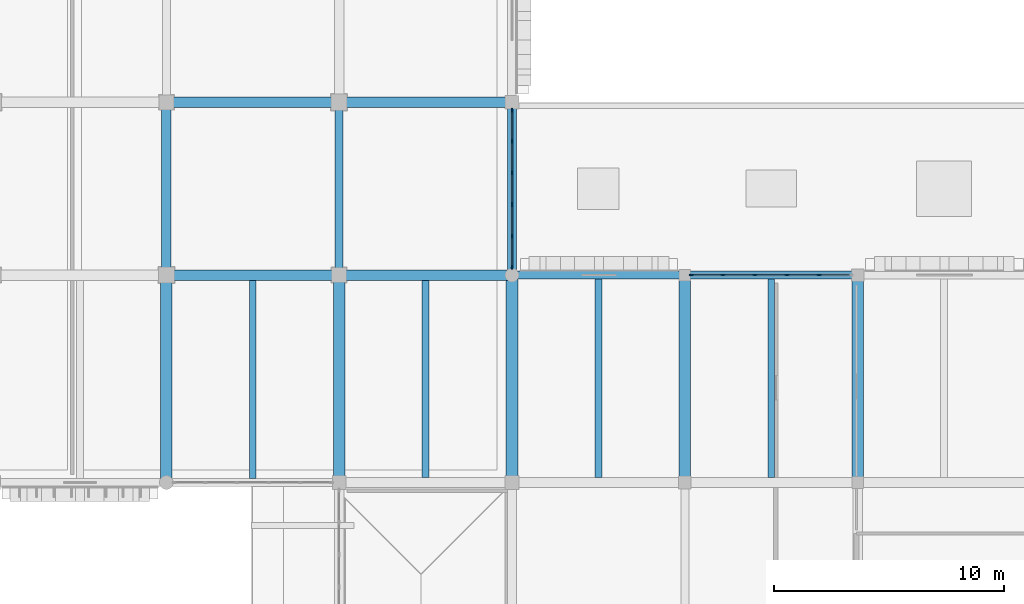
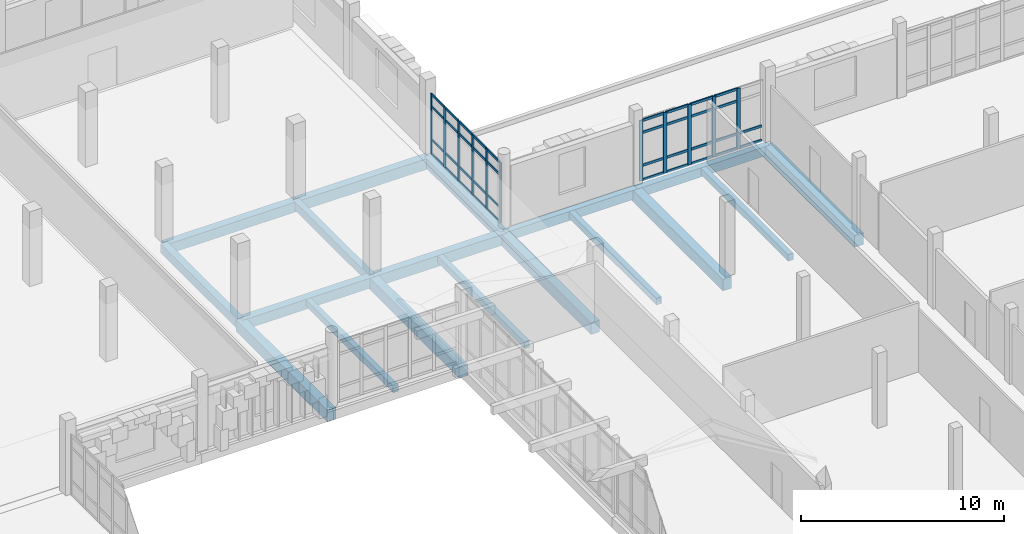
# One storey, part 67 of 128: 49 members, 18 beams, 2 elements without a shape of their own.
"""IFC4 building model written with IfcOpenShell, lengths in metres."""

from ifc_helpers import new_model, si_unit, direction, frame, origin, origin_2d, place, context, subcontext, project, spatial, rectangle, extrude, material, layer, layer_set, material_profile, profile_set, type_object, element, aggregate, save


model = new_model("IFC4")

# Units and contexts
model_context = context("Model", 3, precision=1e-05, world=origin(), true_north=direction((0.0, 1.0)))
body_context = subcontext(model_context, "Body", "Model", "MODEL_VIEW")
ifc_project = project(units=[si_unit("LENGTHUNIT", "METRE"), si_unit("AREAUNIT", "SQUARE_METRE"), si_unit("VOLUMEUNIT", "CUBIC_METRE"), si_unit("PLANEANGLEUNIT", "RADIAN"), si_unit("MASSUNIT", "GRAM", prefix="KILO")], contexts=[model_context])

# Site, building, storey
site_placement = place(None, origin())
site = spatial("IfcSite", under=ifc_project, at=site_placement, CompositionType="ELEMENT")
building_placement = place(site_placement, origin())
building = spatial("IfcBuilding", under=site, at=building_placement, Name="Dalvernix Boulevard General Hospital", CompositionType="ELEMENT")
storey_placement = place(building_placement, frame((0.0, 0.0, 4.800048828125)))
storey = spatial("IfcBuildingStorey", under=building, at=storey_placement, Name="L01", CompositionType="ELEMENT", Elevation=4.800048828125)

# Beams
ifc_material_1 = material(Name="Concrete C35/45", Category="concrete")
ifc_material_profile_1 = material_profile(ifc_material_1, rectangle(XDim=0.5, YDim=0.699951171875, at=origin_2d()), Name="RCB 500x700")
ifc_profile_set_1 = profile_set([ifc_material_profile_1], Name="Concrete C35/45")
beam_type_1 = type_object("IfcBeamType", Name="BM-B-01-I", PredefinedType="BEAM", material=ifc_profile_set_1)
for number, where, z_axis, x_axis, name in (
    (1, (127.5, 76.5, -0.650146484375), (0.0, 1.0, 0.0), (-1.0, 0.0, 0.0), "L01 N-S girder 18:L-M"),
    (2, (135.0, 76.5, -0.650146484375), (0.0, 1.0, 0.0), (-1.0, 0.0, 0.0), "L01 N-S girder 19:L-M"),
    (3, (142.5, 76.5, -0.650146484375), (0.0, 1.0, 0.0), (-1.0, 0.0, 0.0), "L01 N-S girder 20:L-M"),
    (4, (150.0, 76.5, -0.650146484375), (0.0, 1.0, 0.0), (-1.0, 0.0, 0.0), "L01 N-S girder 21:L-M"),
    (5, (157.5, 76.5, -0.650146484375), (0.0, 1.0, 0.0), (-1.0, 0.0, 0.0), "L01 N-S girder 22:L-M"),
):
    element("IfcBeam", number, at=place(storey_placement, frame(where, z_axis=z_axis, x_axis=x_axis)), inside=storey, type_object=beam_type_1, Name=name, PredefinedType="BEAM", context=body_context, shape_type="SweptSolid", body=[
        extrude(rectangle(XDim=0.5, YDim=0.699951171875, at=origin_2d()), origin(), (0.0, 0.0, 1.0), 9.0),
    ])
ifc_material_profile_2 = material_profile(ifc_material_1, rectangle(XDim=0.449951171875, YDim=0.64990234375, at=origin_2d()), Name="RCB 450x650")
ifc_profile_set_2 = profile_set([ifc_material_profile_2], Name="Concrete C35/45")
beam_type_2 = type_object("IfcBeamType", Name="BM-B-03-I", PredefinedType="BEAM", material=ifc_profile_set_2)
for number, where, z_axis, x_axis, name in (
    (6, (135.0, 85.5, -0.625), (1.0, 0.0, 0.0), (0.0, 1.0, 0.0), "L01 E-W girder M:19-20"),
    (7, (135.0, 93.0, -0.625), (1.0, 0.0, 0.0), (0.0, 1.0, 0.0), "L01 E-W girder N:19-20"),
):
    element("IfcBeam", number, at=place(storey_placement, frame(where, z_axis=z_axis, x_axis=x_axis)), inside=storey, type_object=beam_type_2, Name=name, PredefinedType="BEAM", context=body_context, shape_type="SweptSolid", body=[
        extrude(rectangle(XDim=0.449951171875, YDim=0.64990234375, at=origin_2d()), origin(), (0.0, 0.0, 1.0), 7.5),
    ])
ifc_material_profile_3 = material_profile(ifc_material_1, rectangle(XDim=0.449951171875, YDim=0.60009765625, at=origin_2d()), Name="RCB 450x600")
ifc_profile_set_3 = profile_set([ifc_material_profile_3], Name="Concrete C35/45")
beam_type_3 = type_object("IfcBeamType", Name="BM-B-04-I", PredefinedType="BEAM", material=ifc_profile_set_3)
for number, where, z_axis, x_axis, name in (
    (8, (127.5, 85.5, -0.60009765625), (1.0, 0.0, 0.0), (0.0, 1.0, 0.0), "L01 E-W girder M:18-19"),
    (9, (127.5, 93.0, -0.60009765625), (1.0, 0.0, 0.0), (0.0, 1.0, 0.0), "L01 E-W girder N:18-19"),
):
    element("IfcBeam", number, at=place(storey_placement, frame(where, z_axis=z_axis, x_axis=x_axis)), inside=storey, type_object=beam_type_3, Name=name, PredefinedType="BEAM", context=body_context, shape_type="SweptSolid", body=[
        extrude(rectangle(XDim=0.449951171875, YDim=0.60009765625, at=origin_2d()), origin(), (0.0, 0.0, 1.0), 7.5),
    ])
ifc_material_profile_4 = material_profile(ifc_material_1, rectangle(XDim=0.39990234375, YDim=0.550048828125, at=origin_2d()), Name="RCB 400x550")
ifc_profile_set_4 = profile_set([ifc_material_profile_4], Name="Concrete C35/45")
beam_type_4 = type_object("IfcBeamType", Name="BM-B-06-I", PredefinedType="BEAM", material=ifc_profile_set_4)
beam_1_placement = place(storey_placement, frame((127.5, 85.5, -0.574951171875), z_axis=(0.0, 1.0, 0.0), x_axis=(-1.0, 0.0, 0.0)))
element("IfcBeam", 10, at=beam_1_placement, inside=storey, type_object=beam_type_4, Name="L01 N-S girder 18:M-N", PredefinedType="BEAM", context=body_context, shape_type="SweptSolid", body=[
    extrude(rectangle(XDim=0.39990234375, YDim=0.550048828125, at=origin_2d()), origin(), (0.0, 0.0, 1.0), 7.5),
])
ifc_material_profile_5 = material_profile(ifc_material_1, rectangle(XDim=0.35009765625, YDim=0.5, at=origin_2d()), Name="RCB 350x500")
ifc_profile_set_5 = profile_set([ifc_material_profile_5], Name="Concrete C35/45")
beam_type_5 = type_object("IfcBeamType", Name="BM-B-08-I", PredefinedType="BEAM", material=ifc_profile_set_5)
beam_2_placement = place(storey_placement, frame((135.0, 85.5, -0.550048828125), z_axis=(0.0, 1.0, 0.0), x_axis=(-1.0, 0.0, 0.0)))
element("IfcBeam", 11, at=beam_2_placement, inside=storey, type_object=beam_type_5, Name="L01 N-S girder 19:M-N", PredefinedType="BEAM", context=body_context, shape_type="SweptSolid", body=[
    extrude(rectangle(XDim=0.35009765625, YDim=0.5, at=origin_2d()), origin(), (0.0, 0.0, 1.0), 7.5),
])
ifc_material_profile_6 = material_profile(ifc_material_1, rectangle(XDim=0.300048828125, YDim=0.39990234375, at=origin_2d()), Name="RCB 300x400")
ifc_profile_set_6 = profile_set([ifc_material_profile_6], Name="Concrete C35/45")
beam_type_6 = type_object("IfcBeamType", Name="BM-JB-01", PredefinedType="JOIST", material=ifc_profile_set_6)
beam_3_placement = place(storey_placement, frame((131.25, 76.675048828125, -0.5), z_axis=(0.0, 1.0, 0.0), x_axis=(-1.0, 0.0, 0.0)))
element("IfcBeam", 12, at=beam_3_placement, inside=storey, type_object=beam_type_6, Name="L01 secondary floor beam 18-L", PredefinedType="JOIST", context=body_context, shape_type="SweptSolid", body=[
    extrude(rectangle(XDim=0.300048828125, YDim=0.39990234375, at=origin_2d()), origin(), (0.0, 0.0, 1.0), 8.599853515625),
])
beam_4_placement = place(storey_placement, frame((138.75, 76.72509765625, -0.5), z_axis=(0.0, 1.0, 0.0), x_axis=(-1.0, 0.0, 0.0)))
element("IfcBeam", 13, at=beam_4_placement, inside=storey, type_object=beam_type_6, Name="L01 secondary floor beam 19-L", PredefinedType="JOIST", context=body_context, shape_type="SweptSolid", body=[
    extrude(rectangle(XDim=0.300048828125, YDim=0.39990234375, at=origin_2d()), origin(), (0.0, 0.0, 1.0), 8.5498046875),
])
for number, where, z_axis, x_axis, name in (
    (14, (146.25, 76.72509765625, -0.5), (0.0, 1.0, 0.0), (-1.0, 0.0, 0.0), "L01 secondary floor beam 20-L"),
    (15, (153.75, 76.72509765625, -0.5), (0.0, 1.0, 0.0), (-1.0, 0.0, 0.0), "L01 secondary floor beam 21-L"),
):
    element("IfcBeam", number, at=place(storey_placement, frame(where, z_axis=z_axis, x_axis=x_axis)), inside=storey, type_object=beam_type_6, Name=name, PredefinedType="JOIST", context=body_context, shape_type="SweptSolid", body=[
        extrude(rectangle(XDim=0.300048828125, YDim=0.39990234375, at=origin_2d()), origin(), (0.0, 0.0, 1.0), 8.599853515625),
    ])
ifc_material_profile_7 = material_profile(ifc_material_1, rectangle(XDim=0.35009765625, YDim=0.550048828125, at=origin_2d()), Name="RCB 350x550")
ifc_profile_set_7 = profile_set([ifc_material_profile_7], Name="Concrete C35/45")
beam_type_7 = type_object("IfcBeamType", Name="BM-SB-01-E", PredefinedType="SPANDREL", material=ifc_profile_set_7)
for number, where, z_axis, x_axis, name in (
    (16, (142.5, 85.5, -0.574951171875), (1.0, 0.0, 0.0), (0.0, 1.0, 0.0), "L01 E-W girder M:20-21"),
    (17, (150.0, 85.5, -0.574951171875), (1.0, 0.0, 0.0), (0.0, 1.0, 0.0), "L01 E-W girder M:21-22"),
):
    element("IfcBeam", number, at=place(storey_placement, frame(where, z_axis=z_axis, x_axis=x_axis)), inside=storey, type_object=beam_type_7, Name=name, PredefinedType="SPANDREL", context=body_context, shape_type="SweptSolid", body=[
        extrude(rectangle(XDim=0.35009765625, YDim=0.550048828125, at=origin_2d()), origin(), (0.0, 0.0, 1.0), 7.5),
    ])
ifc_material_profile_8 = material_profile(ifc_material_1, rectangle(XDim=0.39990234375, YDim=0.60009765625, at=origin_2d()), Name="RCB 400x600")
ifc_profile_set_8 = profile_set([ifc_material_profile_8], Name="Concrete C35/45")
beam_type_8 = type_object("IfcBeamType", Name="BM-SB-02-E", PredefinedType="SPANDREL", material=ifc_profile_set_8)
beam_5_placement = place(storey_placement, frame((142.5, 85.5, -0.60009765625), z_axis=(0.0, 1.0, 0.0), x_axis=(-1.0, 0.0, 0.0)))
element("IfcBeam", 18, at=beam_5_placement, inside=storey, type_object=beam_type_8, Name="L01 N-S girder 20:M-N", PredefinedType="SPANDREL", context=body_context, shape_type="SweptSolid", body=[
    extrude(rectangle(XDim=0.39990234375, YDim=0.60009765625, at=origin_2d()), origin(), (0.0, 0.0, 1.0), 7.5),
])

# Curtain wall, members
ifc_material_2 = material(Name="Thermally broken aluminium and solar-control glass curtain wall", Category="aluminium")
ifc_layer_1 = layer(ifc_material_2, 0.179931640625)
ifc_layer_set_1 = layer_set([ifc_layer_1], Name="Thermally broken aluminium and solar-control glass curtain wall (CW-CW-B-69x36)")
curtain_wall_type_1 = type_object("IfcCurtainWallType", Name="CW-CW-B-69x36", PredefinedType="USERDEFINED", material=ifc_layer_set_1)
curtain_wall_1_placement = place(storey_placement, origin())
curtain_wall_1 = element("IfcCurtainWall", 19, at=curtain_wall_1_placement, inside=storey, type_object=curtain_wall_type_1, Name="L01 curtain wall CW-B-69x36 19-11", ObjectType="GLAZED FACADE", PredefinedType="USERDEFINED")
ifc_material_3 = material(Name="Aluminium EN AW-6060", Category="aluminium")
ifc_material_profile_9 = material_profile(ifc_material_3, rectangle(XDim=0.06494140625, YDim=0.179931640625, at=origin_2d()), Name="ALU MULL 65x180")
ifc_profile_set_9 = profile_set([ifc_material_profile_9], Name="Aluminium EN AW-6060")
member_type_1 = type_object("IfcMemberType", Name="MEM-CW-M2", PredefinedType="MULLION", material=ifc_profile_set_9)
member_1_placement = place(storey_placement, frame((142.5, 92.657470703125, 0.0), z_axis=(0.0, 0.0, 1.0), x_axis=(1.0, 0.0, 0.0)))
member_1 = element("IfcMember", 20, at=member_1_placement, type_object=member_type_1, Name="CW-B-69x36 mullion 1", PredefinedType="MULLION", context=body_context, shape_type="SweptSolid", body=[
    extrude(rectangle(XDim=0.06494140625, YDim=0.179931640625, at=origin_2d()), origin(), (0.0, 0.0, 1.0), 3.6298828125),
])
member_2_placement = place(storey_placement, frame((142.5, 91.31396484375, 0.0), z_axis=(0.0, 0.0, 1.0), x_axis=(1.0, 0.0, 0.0)))
member_2 = element("IfcMember", 21, at=member_2_placement, type_object=member_type_1, Name="CW-B-69x36 mullion 2", PredefinedType="MULLION", context=body_context, shape_type="SweptSolid", body=[
    extrude(rectangle(XDim=0.06494140625, YDim=0.179931640625, at=origin_2d()), origin(), (0.0, 0.0, 1.0), 3.6298828125),
])
member_3_placement = place(storey_placement, frame((142.5, 89.93798828125, 0.0), z_axis=(0.0, 0.0, 1.0), x_axis=(1.0, 0.0, 0.0)))
member_3 = element("IfcMember", 22, at=member_3_placement, type_object=member_type_1, Name="CW-B-69x36 mullion 3", PredefinedType="MULLION", context=body_context, shape_type="SweptSolid", body=[
    extrude(rectangle(XDim=0.06494140625, YDim=0.179931640625, at=origin_2d()), origin(), (0.0, 0.0, 1.0), 3.6298828125),
])
member_4_placement = place(storey_placement, frame((142.5, 88.56201171875, 0.0), z_axis=(0.0, 0.0, 1.0), x_axis=(1.0, 0.0, 0.0)))
member_4 = element("IfcMember", 23, at=member_4_placement, type_object=member_type_1, Name="CW-B-69x36 mullion 4", PredefinedType="MULLION", context=body_context, shape_type="SweptSolid", body=[
    extrude(rectangle(XDim=0.06494140625, YDim=0.179931640625, at=origin_2d()), origin(), (0.0, 0.0, 1.0), 3.6298828125),
])
member_5_placement = place(storey_placement, frame((142.5, 87.18603515625, 0.0), z_axis=(0.0, 0.0, 1.0), x_axis=(1.0, 0.0, 0.0)))
member_5 = element("IfcMember", 24, at=member_5_placement, type_object=member_type_1, Name="CW-B-69x36 mullion 5", PredefinedType="MULLION", context=body_context, shape_type="SweptSolid", body=[
    extrude(rectangle(XDim=0.06494140625, YDim=0.179931640625, at=origin_2d()), origin(), (0.0, 0.0, 1.0), 3.6298828125),
])
member_6_placement = place(storey_placement, frame((142.5, 85.842529296875, 0.0), z_axis=(0.0, 0.0, 1.0), x_axis=(1.0, 0.0, 0.0)))
member_6 = element("IfcMember", 25, at=member_6_placement, type_object=member_type_1, Name="CW-B-69x36 mullion 6", PredefinedType="MULLION", context=body_context, shape_type="SweptSolid", body=[
    extrude(rectangle(XDim=0.06494140625, YDim=0.179931640625, at=origin_2d()), origin(), (0.0, 0.0, 1.0), 3.6298828125),
])

ifc_layer_2 = layer(ifc_material_2, 0.199951171875)
ifc_layer_set_2 = layer_set([ifc_layer_2], Name="Thermally broken aluminium and solar-control glass curtain wall (CW-CW-C-70x36)")
curtain_wall_type_2 = type_object("IfcCurtainWallType", Name="CW-CW-C-70x36", PredefinedType="USERDEFINED", material=ifc_layer_set_2)
curtain_wall_2_placement = place(storey_placement, origin())
curtain_wall_2 = element("IfcCurtainWall", 26, at=curtain_wall_2_placement, inside=storey, type_object=curtain_wall_type_2, Name="L01 curtain wall CW-C-70x36 20-11", ObjectType="GLAZED FACADE", PredefinedType="USERDEFINED")
ifc_material_profile_10 = material_profile(ifc_material_3, rectangle(XDim=0.070068359375, YDim=0.199951171875, at=origin_2d()), Name="ALU MULL 70x200")
ifc_profile_set_10 = profile_set([ifc_material_profile_10], Name="Aluminium EN AW-6060")
member_type_2 = type_object("IfcMemberType", Name="MEM-CW-M3", PredefinedType="MULLION", material=ifc_profile_set_10)
member_7_placement = place(storey_placement, frame((150.294921875, 85.5, 0.0), z_axis=(0.0, 0.0, 1.0), x_axis=(0.0, 1.0, 0.0)))
member_7 = element("IfcMember", 27, at=member_7_placement, type_object=member_type_2, Name="CW-C-70x36 mullion 1", PredefinedType="MULLION", context=body_context, shape_type="SweptSolid", body=[
    extrude(rectangle(XDim=0.070068359375, YDim=0.199951171875, at=origin_2d()), origin(), (0.0, 0.0, 1.0), 3.6298828125),
])
member_8_placement = place(storey_placement, frame((151.65087890625, 85.5, 0.0), z_axis=(0.0, 0.0, 1.0), x_axis=(0.0, 1.0, 0.0)))
member_8 = element("IfcMember", 28, at=member_8_placement, type_object=member_type_2, Name="CW-C-70x36 mullion 2", PredefinedType="MULLION", context=body_context, shape_type="SweptSolid", body=[
    extrude(rectangle(XDim=0.070068359375, YDim=0.199951171875, at=origin_2d()), origin(), (0.0, 0.0, 1.0), 3.6298828125),
])
member_9_placement = place(storey_placement, frame((153.0419921875, 85.5, 0.0), z_axis=(0.0, 0.0, 1.0), x_axis=(0.0, 1.0, 0.0)))
member_9 = element("IfcMember", 29, at=member_9_placement, type_object=member_type_2, Name="CW-C-70x36 mullion 3", PredefinedType="MULLION", context=body_context, shape_type="SweptSolid", body=[
    extrude(rectangle(XDim=0.070068359375, YDim=0.199951171875, at=origin_2d()), origin(), (0.0, 0.0, 1.0), 3.6298828125),
])
member_10_placement = place(storey_placement, frame((154.43310546875, 85.5, 0.0), z_axis=(0.0, 0.0, 1.0), x_axis=(0.0, 1.0, 0.0)))
member_10 = element("IfcMember", 30, at=member_10_placement, type_object=member_type_2, Name="CW-C-70x36 mullion 4", PredefinedType="MULLION", context=body_context, shape_type="SweptSolid", body=[
    extrude(rectangle(XDim=0.070068359375, YDim=0.199951171875, at=origin_2d()), origin(), (0.0, 0.0, 1.0), 3.6298828125),
])
member_11_placement = place(storey_placement, frame((155.823974609375, 85.5, 0.0), z_axis=(0.0, 0.0, 1.0), x_axis=(0.0, 1.0, 0.0)))
member_11 = element("IfcMember", 31, at=member_11_placement, type_object=member_type_2, Name="CW-C-70x36 mullion 5", PredefinedType="MULLION", context=body_context, shape_type="SweptSolid", body=[
    extrude(rectangle(XDim=0.070068359375, YDim=0.199951171875, at=origin_2d()), origin(), (0.0, 0.0, 1.0), 3.6298828125),
])

# Member
ifc_material_profile_11 = material_profile(ifc_material_3, rectangle(XDim=0.06494140625, YDim=0.139892578125, at=origin_2d()), Name="ALU TRAN 65x140")
ifc_profile_set_11 = profile_set([ifc_material_profile_11], Name="Aluminium EN AW-6060")
member_type_3 = type_object("IfcMemberType", Name="MEM-CW-T2", PredefinedType="USERDEFINED", material=ifc_profile_set_11)
member_12_placement = place(storey_placement, frame((142.5, 92.625, 0.032470703125), z_axis=(0.0, -1.0, 0.0), x_axis=(1.0, 0.0, 0.0)))
member_12 = element("IfcMember", 32, at=member_12_placement, type_object=member_type_3, Name="CW-B-69x36 transom 1.1", ObjectType="TRANSOM", PredefinedType="USERDEFINED", context=body_context, shape_type="SweptSolid", body=[
    extrude(rectangle(XDim=0.06494140625, YDim=0.139892578125, at=origin_2d()), origin(), (0.0, 0.0, 1.0), 1.278564453125),
])

member_13_placement = place(storey_placement, frame((142.5, 92.625, 0.89990234375), z_axis=(0.0, -1.0, 0.0), x_axis=(1.0, 0.0, 0.0)))
member_13 = element("IfcMember", 33, at=member_13_placement, type_object=member_type_3, Name="CW-B-69x36 transom 1.2", ObjectType="TRANSOM", PredefinedType="USERDEFINED", context=body_context, shape_type="SweptSolid", body=[
    extrude(rectangle(XDim=0.06494140625, YDim=0.139892578125, at=origin_2d()), origin(), (0.0, 0.0, 1.0), 1.278564453125),
])

member_14_placement = place(storey_placement, frame((142.5, 92.625, 2.8798828125), z_axis=(0.0, -1.0, 0.0), x_axis=(1.0, 0.0, 0.0)))
member_14 = element("IfcMember", 34, at=member_14_placement, type_object=member_type_3, Name="CW-B-69x36 transom 1.3", ObjectType="TRANSOM", PredefinedType="USERDEFINED", context=body_context, shape_type="SweptSolid", body=[
    extrude(rectangle(XDim=0.06494140625, YDim=0.139892578125, at=origin_2d()), origin(), (0.0, 0.0, 1.0), 1.278564453125),
])

member_15_placement = place(storey_placement, frame((142.5, 92.625, 3.597412109375), z_axis=(0.0, -1.0, 0.0), x_axis=(1.0, 0.0, 0.0)))
member_15 = element("IfcMember", 35, at=member_15_placement, type_object=member_type_3, Name="CW-B-69x36 transom 1.4", ObjectType="TRANSOM", PredefinedType="USERDEFINED", context=body_context, shape_type="SweptSolid", body=[
    extrude(rectangle(XDim=0.06494140625, YDim=0.139892578125, at=origin_2d()), origin(), (0.0, 0.0, 1.0), 1.278564453125),
])

member_16_placement = place(storey_placement, frame((142.5, 91.281494140625, 0.032470703125), z_axis=(0.0, -1.0, 0.0), x_axis=(1.0, 0.0, 0.0)))
member_16 = element("IfcMember", 36, at=member_16_placement, type_object=member_type_3, Name="CW-B-69x36 transom 2.1", ObjectType="TRANSOM", PredefinedType="USERDEFINED", context=body_context, shape_type="SweptSolid", body=[
    extrude(rectangle(XDim=0.06494140625, YDim=0.139892578125, at=origin_2d()), origin(), (0.0, 0.0, 1.0), 1.31103515625),
])

member_17_placement = place(storey_placement, frame((142.5, 91.281494140625, 0.89990234375), z_axis=(0.0, -1.0, 0.0), x_axis=(1.0, 0.0, 0.0)))
member_17 = element("IfcMember", 37, at=member_17_placement, type_object=member_type_3, Name="CW-B-69x36 transom 2.2", ObjectType="TRANSOM", PredefinedType="USERDEFINED", context=body_context, shape_type="SweptSolid", body=[
    extrude(rectangle(XDim=0.06494140625, YDim=0.139892578125, at=origin_2d()), origin(), (0.0, 0.0, 1.0), 1.31103515625),
])

member_18_placement = place(storey_placement, frame((142.5, 91.281494140625, 2.8798828125), z_axis=(0.0, -1.0, 0.0), x_axis=(1.0, 0.0, 0.0)))
member_18 = element("IfcMember", 38, at=member_18_placement, type_object=member_type_3, Name="CW-B-69x36 transom 2.3", ObjectType="TRANSOM", PredefinedType="USERDEFINED", context=body_context, shape_type="SweptSolid", body=[
    extrude(rectangle(XDim=0.06494140625, YDim=0.139892578125, at=origin_2d()), origin(), (0.0, 0.0, 1.0), 1.31103515625),
])

member_19_placement = place(storey_placement, frame((142.5, 91.281494140625, 3.597412109375), z_axis=(0.0, -1.0, 0.0), x_axis=(1.0, 0.0, 0.0)))
member_19 = element("IfcMember", 39, at=member_19_placement, type_object=member_type_3, Name="CW-B-69x36 transom 2.4", ObjectType="TRANSOM", PredefinedType="USERDEFINED", context=body_context, shape_type="SweptSolid", body=[
    extrude(rectangle(XDim=0.06494140625, YDim=0.139892578125, at=origin_2d()), origin(), (0.0, 0.0, 1.0), 1.31103515625),
])

member_20_placement = place(storey_placement, frame((142.5, 89.905517578125, 0.032470703125), z_axis=(0.0, -1.0, 0.0), x_axis=(1.0, 0.0, 0.0)))
member_20 = element("IfcMember", 40, at=member_20_placement, type_object=member_type_3, Name="CW-B-69x36 transom 3.1", ObjectType="TRANSOM", PredefinedType="USERDEFINED", context=body_context, shape_type="SweptSolid", body=[
    extrude(rectangle(XDim=0.06494140625, YDim=0.139892578125, at=origin_2d()), origin(), (0.0, 0.0, 1.0), 1.31103515625),
])

member_21_placement = place(storey_placement, frame((142.5, 89.905517578125, 0.89990234375), z_axis=(0.0, -1.0, 0.0), x_axis=(1.0, 0.0, 0.0)))
member_21 = element("IfcMember", 41, at=member_21_placement, type_object=member_type_3, Name="CW-B-69x36 transom 3.2", ObjectType="TRANSOM", PredefinedType="USERDEFINED", context=body_context, shape_type="SweptSolid", body=[
    extrude(rectangle(XDim=0.06494140625, YDim=0.139892578125, at=origin_2d()), origin(), (0.0, 0.0, 1.0), 1.31103515625),
])

member_22_placement = place(storey_placement, frame((142.5, 89.905517578125, 2.8798828125), z_axis=(0.0, -1.0, 0.0), x_axis=(1.0, 0.0, 0.0)))
member_22 = element("IfcMember", 42, at=member_22_placement, type_object=member_type_3, Name="CW-B-69x36 transom 3.3", ObjectType="TRANSOM", PredefinedType="USERDEFINED", context=body_context, shape_type="SweptSolid", body=[
    extrude(rectangle(XDim=0.06494140625, YDim=0.139892578125, at=origin_2d()), origin(), (0.0, 0.0, 1.0), 1.31103515625),
])

member_23_placement = place(storey_placement, frame((142.5, 89.905517578125, 3.597412109375), z_axis=(0.0, -1.0, 0.0), x_axis=(1.0, 0.0, 0.0)))
member_23 = element("IfcMember", 43, at=member_23_placement, type_object=member_type_3, Name="CW-B-69x36 transom 3.4", ObjectType="TRANSOM", PredefinedType="USERDEFINED", context=body_context, shape_type="SweptSolid", body=[
    extrude(rectangle(XDim=0.06494140625, YDim=0.139892578125, at=origin_2d()), origin(), (0.0, 0.0, 1.0), 1.31103515625),
])

member_24_placement = place(storey_placement, frame((142.5, 88.529541015625, 0.032470703125), z_axis=(0.0, -1.0, 0.0), x_axis=(1.0, 0.0, 0.0)))
member_24 = element("IfcMember", 44, at=member_24_placement, type_object=member_type_3, Name="CW-B-69x36 transom 4.1", ObjectType="TRANSOM", PredefinedType="USERDEFINED", context=body_context, shape_type="SweptSolid", body=[
    extrude(rectangle(XDim=0.06494140625, YDim=0.139892578125, at=origin_2d()), origin(), (0.0, 0.0, 1.0), 1.31103515625),
])

member_25_placement = place(storey_placement, frame((142.5, 88.529541015625, 0.89990234375), z_axis=(0.0, -1.0, 0.0), x_axis=(1.0, 0.0, 0.0)))
member_25 = element("IfcMember", 45, at=member_25_placement, type_object=member_type_3, Name="CW-B-69x36 transom 4.2", ObjectType="TRANSOM", PredefinedType="USERDEFINED", context=body_context, shape_type="SweptSolid", body=[
    extrude(rectangle(XDim=0.06494140625, YDim=0.139892578125, at=origin_2d()), origin(), (0.0, 0.0, 1.0), 1.31103515625),
])

member_26_placement = place(storey_placement, frame((142.5, 88.529541015625, 2.8798828125), z_axis=(0.0, -1.0, 0.0), x_axis=(1.0, 0.0, 0.0)))
member_26 = element("IfcMember", 46, at=member_26_placement, type_object=member_type_3, Name="CW-B-69x36 transom 4.3", ObjectType="TRANSOM", PredefinedType="USERDEFINED", context=body_context, shape_type="SweptSolid", body=[
    extrude(rectangle(XDim=0.06494140625, YDim=0.139892578125, at=origin_2d()), origin(), (0.0, 0.0, 1.0), 1.31103515625),
])

member_27_placement = place(storey_placement, frame((142.5, 88.529541015625, 3.597412109375), z_axis=(0.0, -1.0, 0.0), x_axis=(1.0, 0.0, 0.0)))
member_27 = element("IfcMember", 47, at=member_27_placement, type_object=member_type_3, Name="CW-B-69x36 transom 4.4", ObjectType="TRANSOM", PredefinedType="USERDEFINED", context=body_context, shape_type="SweptSolid", body=[
    extrude(rectangle(XDim=0.06494140625, YDim=0.139892578125, at=origin_2d()), origin(), (0.0, 0.0, 1.0), 1.31103515625),
])

member_28_placement = place(storey_placement, frame((142.5, 87.153564453125, 0.032470703125), z_axis=(0.0, -1.0, 0.0), x_axis=(1.0, 0.0, 0.0)))
member_28 = element("IfcMember", 48, at=member_28_placement, type_object=member_type_3, Name="CW-B-69x36 transom 5.1", ObjectType="TRANSOM", PredefinedType="USERDEFINED", context=body_context, shape_type="SweptSolid", body=[
    extrude(rectangle(XDim=0.06494140625, YDim=0.139892578125, at=origin_2d()), origin(), (0.0, 0.0, 1.0), 1.278564453125),
])

member_29_placement = place(storey_placement, frame((142.5, 87.153564453125, 0.89990234375), z_axis=(0.0, -1.0, 0.0), x_axis=(1.0, 0.0, 0.0)))
member_29 = element("IfcMember", 49, at=member_29_placement, type_object=member_type_3, Name="CW-B-69x36 transom 5.2", ObjectType="TRANSOM", PredefinedType="USERDEFINED", context=body_context, shape_type="SweptSolid", body=[
    extrude(rectangle(XDim=0.06494140625, YDim=0.139892578125, at=origin_2d()), origin(), (0.0, 0.0, 1.0), 1.278564453125),
])

member_30_placement = place(storey_placement, frame((142.5, 87.153564453125, 2.8798828125), z_axis=(0.0, -1.0, 0.0), x_axis=(1.0, 0.0, 0.0)))
member_30 = element("IfcMember", 50, at=member_30_placement, type_object=member_type_3, Name="CW-B-69x36 transom 5.3", ObjectType="TRANSOM", PredefinedType="USERDEFINED", context=body_context, shape_type="SweptSolid", body=[
    extrude(rectangle(XDim=0.06494140625, YDim=0.139892578125, at=origin_2d()), origin(), (0.0, 0.0, 1.0), 1.278564453125),
])

member_31_placement = place(storey_placement, frame((142.5, 87.153564453125, 3.597412109375), z_axis=(0.0, -1.0, 0.0), x_axis=(1.0, 0.0, 0.0)))
member_31 = element("IfcMember", 51, at=member_31_placement, type_object=member_type_3, Name="CW-B-69x36 transom 5.4", ObjectType="TRANSOM", PredefinedType="USERDEFINED", context=body_context, shape_type="SweptSolid", body=[
    extrude(rectangle(XDim=0.06494140625, YDim=0.139892578125, at=origin_2d()), origin(), (0.0, 0.0, 1.0), 1.278564453125),
])

aggregate(curtain_wall_1, [member_1, member_2, member_3, member_4, member_5, member_6, member_12, member_13, member_14, member_15, member_16, member_17, member_18, member_19, member_20, member_21, member_22, member_23, member_24, member_25, member_26, member_27, member_28, member_29, member_30, member_31])

ifc_material_profile_12 = material_profile(ifc_material_3, rectangle(XDim=0.070068359375, YDim=0.14990234375, at=origin_2d()), Name="ALU TRAN 70x150")
ifc_profile_set_12 = profile_set([ifc_material_profile_12], Name="Aluminium EN AW-6060")
member_type_4 = type_object("IfcMemberType", Name="MEM-CW-T3", PredefinedType="USERDEFINED", material=ifc_profile_set_12)
member_32_placement = place(storey_placement, frame((150.330078125, 85.5, 0.034912109375), z_axis=(1.0, 0.0, 0.0), x_axis=(0.0, 1.0, 0.0)))
member_32 = element("IfcMember", 52, at=member_32_placement, type_object=member_type_4, Name="CW-C-70x36 transom 1.1", ObjectType="TRANSOM", PredefinedType="USERDEFINED", context=body_context, shape_type="SweptSolid", body=[
    extrude(rectangle(XDim=0.070068359375, YDim=0.14990234375, at=origin_2d()), origin(), (0.0, 0.0, 1.0), 1.285888671875),
])

member_33_placement = place(storey_placement, frame((150.330078125, 85.5, 0.89990234375), z_axis=(1.0, 0.0, 0.0), x_axis=(0.0, 1.0, 0.0)))
member_33 = element("IfcMember", 53, at=member_33_placement, type_object=member_type_4, Name="CW-C-70x36 transom 1.2", ObjectType="TRANSOM", PredefinedType="USERDEFINED", context=body_context, shape_type="SweptSolid", body=[
    extrude(rectangle(XDim=0.070068359375, YDim=0.14990234375, at=origin_2d()), origin(), (0.0, 0.0, 1.0), 1.285888671875),
])

member_34_placement = place(storey_placement, frame((150.330078125, 85.5, 2.8798828125), z_axis=(1.0, 0.0, 0.0), x_axis=(0.0, 1.0, 0.0)))
member_34 = element("IfcMember", 54, at=member_34_placement, type_object=member_type_4, Name="CW-C-70x36 transom 1.3", ObjectType="TRANSOM", PredefinedType="USERDEFINED", context=body_context, shape_type="SweptSolid", body=[
    extrude(rectangle(XDim=0.070068359375, YDim=0.14990234375, at=origin_2d()), origin(), (0.0, 0.0, 1.0), 1.285888671875),
])

member_35_placement = place(storey_placement, frame((150.330078125, 85.5, 3.594970703125), z_axis=(1.0, 0.0, 0.0), x_axis=(0.0, 1.0, 0.0)))
member_35 = element("IfcMember", 55, at=member_35_placement, type_object=member_type_4, Name="CW-C-70x36 transom 1.4", ObjectType="TRANSOM", PredefinedType="USERDEFINED", context=body_context, shape_type="SweptSolid", body=[
    extrude(rectangle(XDim=0.070068359375, YDim=0.14990234375, at=origin_2d()), origin(), (0.0, 0.0, 1.0), 1.285888671875),
])

member_36_placement = place(storey_placement, frame((151.68603515625, 85.5, 0.034912109375), z_axis=(1.0, 0.0, 0.0), x_axis=(0.0, 1.0, 0.0)))
member_36 = element("IfcMember", 56, at=member_36_placement, type_object=member_type_4, Name="CW-C-70x36 transom 2.1", ObjectType="TRANSOM", PredefinedType="USERDEFINED", context=body_context, shape_type="SweptSolid", body=[
    extrude(rectangle(XDim=0.070068359375, YDim=0.14990234375, at=origin_2d()), origin(), (0.0, 0.0, 1.0), 1.321044921875),
])

member_37_placement = place(storey_placement, frame((151.68603515625, 85.5, 0.89990234375), z_axis=(1.0, 0.0, 0.0), x_axis=(0.0, 1.0, 0.0)))
member_37 = element("IfcMember", 57, at=member_37_placement, type_object=member_type_4, Name="CW-C-70x36 transom 2.2", ObjectType="TRANSOM", PredefinedType="USERDEFINED", context=body_context, shape_type="SweptSolid", body=[
    extrude(rectangle(XDim=0.070068359375, YDim=0.14990234375, at=origin_2d()), origin(), (0.0, 0.0, 1.0), 1.321044921875),
])

member_38_placement = place(storey_placement, frame((151.68603515625, 85.5, 2.8798828125), z_axis=(1.0, 0.0, 0.0), x_axis=(0.0, 1.0, 0.0)))
member_38 = element("IfcMember", 58, at=member_38_placement, type_object=member_type_4, Name="CW-C-70x36 transom 2.3", ObjectType="TRANSOM", PredefinedType="USERDEFINED", context=body_context, shape_type="SweptSolid", body=[
    extrude(rectangle(XDim=0.070068359375, YDim=0.14990234375, at=origin_2d()), origin(), (0.0, 0.0, 1.0), 1.321044921875),
])

member_39_placement = place(storey_placement, frame((151.68603515625, 85.5, 3.594970703125), z_axis=(1.0, 0.0, 0.0), x_axis=(0.0, 1.0, 0.0)))
member_39 = element("IfcMember", 59, at=member_39_placement, type_object=member_type_4, Name="CW-C-70x36 transom 2.4", ObjectType="TRANSOM", PredefinedType="USERDEFINED", context=body_context, shape_type="SweptSolid", body=[
    extrude(rectangle(XDim=0.070068359375, YDim=0.14990234375, at=origin_2d()), origin(), (0.0, 0.0, 1.0), 1.321044921875),
])

member_40_placement = place(storey_placement, frame((153.076904296875, 85.5, 0.034912109375), z_axis=(1.0, 0.0, 0.0), x_axis=(0.0, 1.0, 0.0)))
member_40 = element("IfcMember", 60, at=member_40_placement, type_object=member_type_4, Name="CW-C-70x36 transom 3.1", ObjectType="TRANSOM", PredefinedType="USERDEFINED", context=body_context, shape_type="SweptSolid", body=[
    extrude(rectangle(XDim=0.070068359375, YDim=0.14990234375, at=origin_2d()), origin(), (0.0, 0.0, 1.0), 1.321044921875),
])

member_41_placement = place(storey_placement, frame((153.076904296875, 85.5, 0.89990234375), z_axis=(1.0, 0.0, 0.0), x_axis=(0.0, 1.0, 0.0)))
member_41 = element("IfcMember", 61, at=member_41_placement, type_object=member_type_4, Name="CW-C-70x36 transom 3.2", ObjectType="TRANSOM", PredefinedType="USERDEFINED", context=body_context, shape_type="SweptSolid", body=[
    extrude(rectangle(XDim=0.070068359375, YDim=0.14990234375, at=origin_2d()), origin(), (0.0, 0.0, 1.0), 1.321044921875),
])

member_42_placement = place(storey_placement, frame((153.076904296875, 85.5, 2.8798828125), z_axis=(1.0, 0.0, 0.0), x_axis=(0.0, 1.0, 0.0)))
member_42 = element("IfcMember", 62, at=member_42_placement, type_object=member_type_4, Name="CW-C-70x36 transom 3.3", ObjectType="TRANSOM", PredefinedType="USERDEFINED", context=body_context, shape_type="SweptSolid", body=[
    extrude(rectangle(XDim=0.070068359375, YDim=0.14990234375, at=origin_2d()), origin(), (0.0, 0.0, 1.0), 1.321044921875),
])

member_43_placement = place(storey_placement, frame((153.076904296875, 85.5, 3.594970703125), z_axis=(1.0, 0.0, 0.0), x_axis=(0.0, 1.0, 0.0)))
member_43 = element("IfcMember", 63, at=member_43_placement, type_object=member_type_4, Name="CW-C-70x36 transom 3.4", ObjectType="TRANSOM", PredefinedType="USERDEFINED", context=body_context, shape_type="SweptSolid", body=[
    extrude(rectangle(XDim=0.070068359375, YDim=0.14990234375, at=origin_2d()), origin(), (0.0, 0.0, 1.0), 1.321044921875),
])

member_44_placement = place(storey_placement, frame((154.468017578125, 85.5, 0.034912109375), z_axis=(1.0, 0.0, 0.0), x_axis=(0.0, 1.0, 0.0)))
member_44 = element("IfcMember", 64, at=member_44_placement, type_object=member_type_4, Name="CW-C-70x36 transom 4.1", ObjectType="TRANSOM", PredefinedType="USERDEFINED", context=body_context, shape_type="SweptSolid", body=[
    extrude(rectangle(XDim=0.070068359375, YDim=0.14990234375, at=origin_2d()), origin(), (0.0, 0.0, 1.0), 1.321044921875),
])

member_45_placement = place(storey_placement, frame((154.468017578125, 85.5, 0.89990234375), z_axis=(1.0, 0.0, 0.0), x_axis=(0.0, 1.0, 0.0)))
member_45 = element("IfcMember", 65, at=member_45_placement, type_object=member_type_4, Name="CW-C-70x36 transom 4.2", ObjectType="TRANSOM", PredefinedType="USERDEFINED", context=body_context, shape_type="SweptSolid", body=[
    extrude(rectangle(XDim=0.070068359375, YDim=0.14990234375, at=origin_2d()), origin(), (0.0, 0.0, 1.0), 1.321044921875),
])

member_46_placement = place(storey_placement, frame((154.468017578125, 85.5, 2.8798828125), z_axis=(1.0, 0.0, 0.0), x_axis=(0.0, 1.0, 0.0)))
member_46 = element("IfcMember", 66, at=member_46_placement, type_object=member_type_4, Name="CW-C-70x36 transom 4.3", ObjectType="TRANSOM", PredefinedType="USERDEFINED", context=body_context, shape_type="SweptSolid", body=[
    extrude(rectangle(XDim=0.070068359375, YDim=0.14990234375, at=origin_2d()), origin(), (0.0, 0.0, 1.0), 1.321044921875),
])

member_47_placement = place(storey_placement, frame((154.468017578125, 85.5, 3.594970703125), z_axis=(1.0, 0.0, 0.0), x_axis=(0.0, 1.0, 0.0)))
member_47 = element("IfcMember", 67, at=member_47_placement, type_object=member_type_4, Name="CW-C-70x36 transom 4.4", ObjectType="TRANSOM", PredefinedType="USERDEFINED", context=body_context, shape_type="SweptSolid", body=[
    extrude(rectangle(XDim=0.070068359375, YDim=0.14990234375, at=origin_2d()), origin(), (0.0, 0.0, 1.0), 1.321044921875),
])

member_48_placement = place(storey_placement, frame((155.85888671875, 85.5, 0.034912109375), z_axis=(1.0, 0.0, 0.0), x_axis=(0.0, 1.0, 0.0)))
member_48 = element("IfcMember", 68, at=member_48_placement, type_object=member_type_4, Name="CW-C-70x36 transom 5.1", ObjectType="TRANSOM", PredefinedType="USERDEFINED", context=body_context, shape_type="SweptSolid", body=[
    extrude(rectangle(XDim=0.070068359375, YDim=0.14990234375, at=origin_2d()), origin(), (0.0, 0.0, 1.0), 1.2861328125),
])

member_49_placement = place(storey_placement, frame((155.85888671875, 85.5, 0.89990234375), z_axis=(1.0, 0.0, 0.0), x_axis=(0.0, 1.0, 0.0)))
member_49 = element("IfcMember", 69, at=member_49_placement, type_object=member_type_4, Name="CW-C-70x36 transom 5.2", ObjectType="TRANSOM", PredefinedType="USERDEFINED", context=body_context, shape_type="SweptSolid", body=[
    extrude(rectangle(XDim=0.070068359375, YDim=0.14990234375, at=origin_2d()), origin(), (0.0, 0.0, 1.0), 1.2861328125),
])

aggregate(curtain_wall_2, [member_7, member_8, member_9, member_10, member_11, member_32, member_33, member_34, member_35, member_36, member_37, member_38, member_39, member_40, member_41, member_42, member_43, member_44, member_45, member_46, member_47, member_48, member_49])

save(model, "model.ifc")
